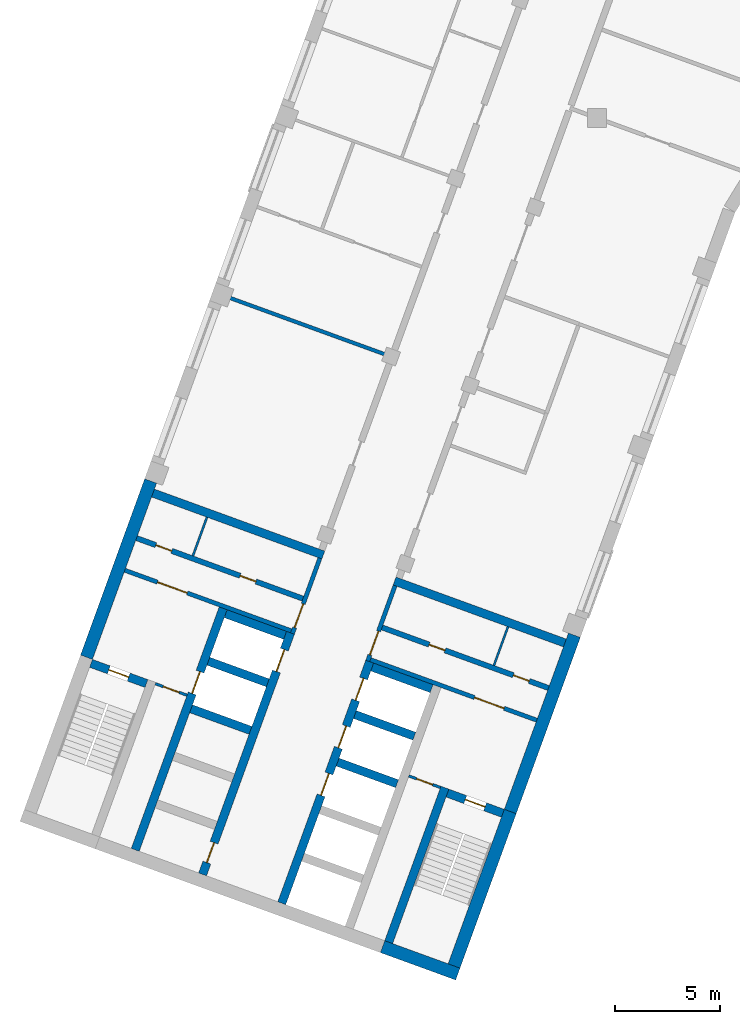
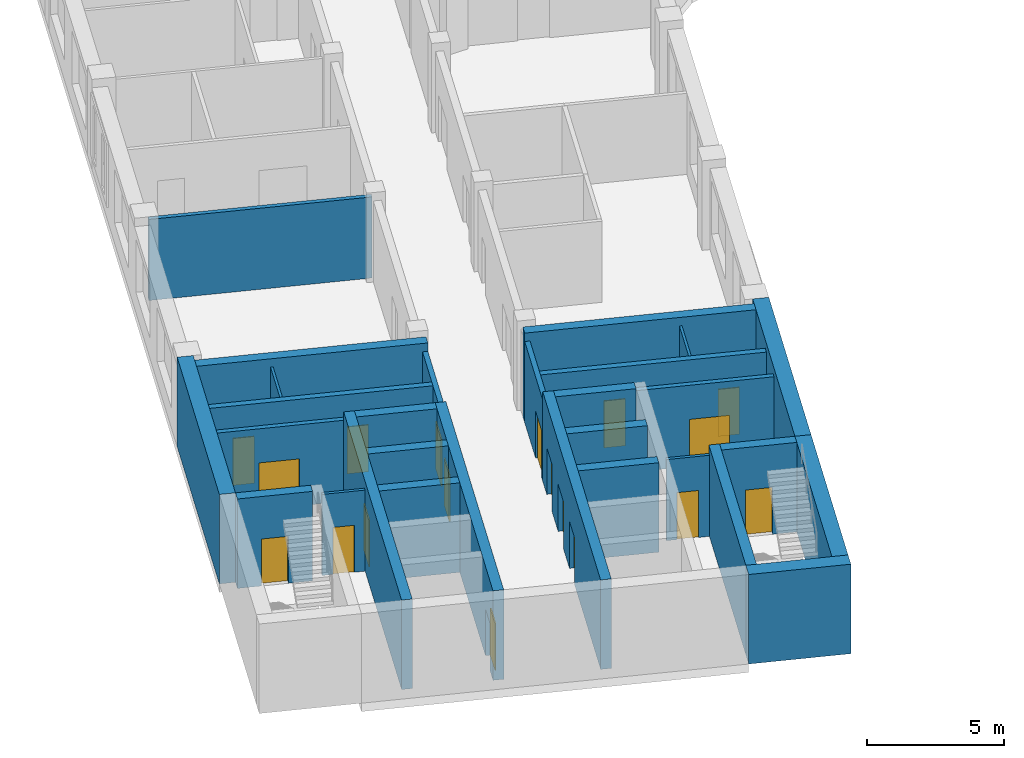
# One storey, part 2 of 12: 29 walls, 18 doors, 18 openings.
"""IFC4 building model written with IfcOpenShell, lengths in metres."""

from ifc_helpers import new_model, si_unit, direction, frame, frame_2d, origin, place, context, subcontext, project, spatial, rectangle, extrude, material, layer, layer_set, type_object, element, fill, save


model = new_model("IFC4")

# Units and contexts
model_context = context("Model", 3, precision=1e-05, world=origin(), true_north=direction((0.0, 1.0)))
body_context = subcontext(model_context, "Body", "Model", "MODEL_VIEW")
ifc_project = project(units=[si_unit("LENGTHUNIT", "METRE"), si_unit("AREAUNIT", "SQUARE_METRE"), si_unit("VOLUMEUNIT", "CUBIC_METRE"), si_unit("PLANEANGLEUNIT", "RADIAN"), si_unit("MASSUNIT", "GRAM", prefix="KILO")], contexts=[model_context])

# Site, building, storey
site_placement = place(None, origin())
site = spatial("IfcSite", under=ifc_project, at=site_placement, CompositionType="ELEMENT")
building_placement = place(site_placement, origin())
building = spatial("IfcBuilding", under=site, at=building_placement, Name="Skarvind Civic Tower", CompositionType="ELEMENT")
storey_placement = place(building_placement, frame((0.0, 0.0, 51.5)))
storey = spatial("IfcBuildingStorey", under=building, at=storey_placement, Name="L11", CompositionType="ELEMENT", Elevation=51.5)

# Wall
ifc_material_1 = material(Name="Acoustic gypsum board on steel studs", Category="steel")
ifc_layer_1 = layer(ifc_material_1, 0.175048828125)
ifc_layer_set_1 = layer_set([ifc_layer_1], Name="ACOUSTIC MEETING-ROOM PARTITION 175")
wall_type_1 = type_object("IfcWallType", Name="ACOUSTIC MEETING-ROOM PARTITION 175", PredefinedType="PARTITIONING", material=ifc_layer_set_1)
wall_1_placement = place(storey_placement, frame((28.27490234375, 109.708984375, 0.0), z_axis=(0.0, 0.0, 1.0), x_axis=(0.939697205528, -0.342007546586, 0.0)))
element("IfcWall", 1, at=wall_1_placement, inside=storey, type_object=wall_type_1, Name="Partition 11.001", PredefinedType="PARTITIONING", context=body_context, shape_type="SweptSolid", body=[
    extrude(rectangle(XDim=8.300537109375, YDim=0.175048828125, at=frame_2d((4.150390625, 0.0))), origin(), (0.0, 0.0, 1.0), 3.625),
])

# Wall, opening, door
ifc_material_2 = material(Name="Fire-rated masonry partition", Category="masonry")
ifc_layer_2 = layer(ifc_material_2, 0.199951171875)
ifc_layer_set_2 = layer_set([ifc_layer_2], Name="Core enclosure wall 200")
wall_type_2 = type_object("IfcWallType", Name="Core enclosure wall 200", PredefinedType="PARTITIONING", material=ifc_layer_set_2)
wall_2_placement = place(storey_placement, frame((31.491455078125, 93.693359375, 0.0), z_axis=(0.0, 0.0, 1.0), x_axis=(0.341995824804, 0.939701471648, 0.0)))
wall_2 = element("IfcWall", 2, at=wall_2_placement, inside=storey, type_object=wall_type_2, Name="Core wall C2", PredefinedType="PARTITIONING", context=body_context, shape_type="SweptSolid", body=[
    extrude(rectangle(XDim=3.800048828125, YDim=0.199951171875, at=frame_2d((1.89990234375, 0.0))), origin(), (0.0, 0.0, 1.0), 3.625),
])
opening_1_placement = place(wall_2_placement, frame((0.300048828125, 0.0, 0.0)))
opening_1 = element("IfcOpeningElement", 3, at=opening_1_placement, cuts=wall_2, Name="Opening D-L11-C2-06", PredefinedType="OPENING", context=body_context, shape_type="SweptSolid", body=[
    extrude(rectangle(XDim=1.199951171875, YDim=2.10009765625, at=frame_2d((0.60009765625, 1.050048828125))), frame((0.0, 0.10986328125, 0.0), z_axis=(0.0, -1.0, 0.0), x_axis=(1.0, 0.0, 0.0)), (0.0, 0.0, 1.0), 0.219970703125),
])
ifc_material_3 = material(Name="Fire-rated steel door", Category="steel")
door_type_1 = type_object("IfcDoorType", Name="Core lobby door 1200", OperationType="NOTDEFINED", PredefinedType="DOOR", material=ifc_material_3)
door_1_placement = place(opening_1_placement, origin())
door_1 = element("IfcDoor", 4, at=door_1_placement, inside=storey, type_object=door_type_1, Name="Fire door", OperationType="DOUBLE_DOOR_SINGLE_SWING", OverallHeight=2.10009765625, OverallWidth=1.199951171875, PredefinedType="DOOR", context=body_context, shape_type="SweptSolid", body=[
    extrude(rectangle(XDim=1.199951171875, YDim=2.10009765625, at=frame_2d((0.60009765625, 1.050048828125))), frame((0.0, 0.02490234375, 0.0), z_axis=(0.0, -1.0, 0.0), x_axis=(1.0, 0.0, 0.0)), (0.0, 0.0, 1.0), 0.050048828125),
])
fill(opening_1, door_1)

wall_3_placement = place(storey_placement, frame((23.5380859375, 96.6943359375, 0.0), z_axis=(0.0, 0.0, 1.0), x_axis=(0.939691552312, -0.342023078919, 0.0)))
wall_3 = element("IfcWall", 5, at=wall_3_placement, inside=storey, type_object=wall_type_2, Name="Core wall C2", PredefinedType="PARTITIONING", context=body_context, shape_type="SweptSolid", body=[
    extrude(rectangle(XDim=8.400146484375, YDim=0.199951171875, at=frame_2d((4.2001953125, 0.0))), origin(), (0.0, 0.0, 1.0), 3.625),
])
opening_2_placement = place(wall_3_placement, frame((1.64990234375, 0.0, 0.0)))
opening_2 = element("IfcOpeningElement", 6, at=opening_2_placement, cuts=wall_3, Name="Opening D-L11-C2-07", PredefinedType="OPENING", context=body_context, shape_type="SweptSolid", body=[
    extrude(rectangle(XDim=1.5, YDim=2.10009765625, at=frame_2d((0.75, 1.050048828125))), frame((0.0, 0.10986328125, 0.0), z_axis=(0.0, -1.0, 0.0), x_axis=(1.0, 0.0, 0.0)), (0.0, 0.0, 1.0), 0.219970703125),
])
door_type_2 = type_object("IfcDoorType", Name="Fire door 1500", OperationType="NOTDEFINED", PredefinedType="DOOR", material=ifc_material_3)
door_2_placement = place(opening_2_placement, origin())
door_2 = element("IfcDoor", 7, at=door_2_placement, inside=storey, type_object=door_type_2, Name="Fire door", OperationType="DOUBLE_DOOR_SINGLE_SWING", OverallHeight=2.10009765625, OverallWidth=1.5, PredefinedType="DOOR", context=body_context, shape_type="SweptSolid", body=[
    extrude(rectangle(XDim=1.5, YDim=2.10009765625, at=frame_2d((0.75, 1.050048828125))), frame((0.0, 0.02490234375, 0.0), z_axis=(0.0, -1.0, 0.0), x_axis=(1.0, 0.0, 0.0)), (0.0, 0.0, 1.0), 0.050048828125),
])
fill(opening_2, door_2)

wall_4_placement = place(storey_placement, frame((36.36181640625, 95.96435546875, 0.0), z_axis=(0.0, 0.0, 1.0), x_axis=(-0.341995824804, -0.939701471648, 0.0)))
wall_4 = element("IfcWall", 8, at=wall_4_placement, inside=storey, type_object=wall_type_2, Name="Core wall C2", PredefinedType="PARTITIONING", context=body_context, shape_type="SweptSolid", body=[
    extrude(rectangle(XDim=3.800048828125, YDim=0.199951171875, at=frame_2d((1.89990234375, 0.0))), origin(), (0.0, 0.0, 1.0), 3.625),
])
opening_3_placement = place(wall_4_placement, frame((2.300048828125, 0.0, 0.0)))
opening_3 = element("IfcOpeningElement", 9, at=opening_3_placement, cuts=wall_4, Name="Opening D-L11-C2-12", PredefinedType="OPENING", context=body_context, shape_type="SweptSolid", body=[
    extrude(rectangle(XDim=1.199951171875, YDim=2.10009765625, at=frame_2d((0.60009765625, 1.050048828125))), frame((0.0, 0.10986328125, 0.0), z_axis=(0.0, -1.0, 0.0), x_axis=(1.0, 0.0, 0.0)), (0.0, 0.0, 1.0), 0.219970703125),
])
door_3_placement = place(opening_3_placement, origin())
door_3 = element("IfcDoor", 10, at=door_3_placement, inside=storey, type_object=door_type_1, Name="Fire door", OperationType="DOUBLE_DOOR_SINGLE_SWING", OverallHeight=2.10009765625, OverallWidth=1.199951171875, PredefinedType="DOOR", context=body_context, shape_type="SweptSolid", body=[
    extrude(rectangle(XDim=1.199951171875, YDim=2.10009765625, at=frame_2d((0.60009765625, 1.050048828125))), frame((0.0, 0.02490234375, 0.0), z_axis=(0.0, -1.0, 0.0), x_axis=(1.0, 0.0, 0.0)), (0.0, 0.0, 1.0), 0.050048828125),
])
fill(opening_3, door_3)

wall_5_placement = place(storey_placement, frame((35.1904296875, 92.453369140625, 0.0), z_axis=(0.0, 0.0, 1.0), x_axis=(0.939691552312, -0.342023078919, 0.0)))
wall_5 = element("IfcWall", 11, at=wall_5_placement, inside=storey, type_object=wall_type_2, Name="Core wall C2", PredefinedType="PARTITIONING", context=body_context, shape_type="SweptSolid", body=[
    extrude(rectangle(XDim=8.400146484375, YDim=0.199951171875, at=frame_2d((4.2001953125, 0.0))), origin(), (0.0, 0.0, 1.0), 3.625),
])
opening_4_placement = place(wall_5_placement, frame((5.25, 0.0, 0.0)))
opening_4 = element("IfcOpeningElement", 12, at=opening_4_placement, cuts=wall_5, Name="Opening D-L11-C2-13", PredefinedType="OPENING", context=body_context, shape_type="SweptSolid", body=[
    extrude(rectangle(XDim=1.5, YDim=2.10009765625, at=frame_2d((0.75, 1.050048828125))), frame((0.0, 0.10986328125, 0.0), z_axis=(0.0, -1.0, 0.0), x_axis=(1.0, 0.0, 0.0)), (0.0, 0.0, 1.0), 0.219970703125),
])
door_4_placement = place(opening_4_placement, origin())
door_4 = element("IfcDoor", 13, at=door_4_placement, inside=storey, type_object=door_type_2, Name="Fire door", OperationType="DOUBLE_DOOR_SINGLE_SWING", OverallHeight=2.10009765625, OverallWidth=1.5, PredefinedType="DOOR", context=body_context, shape_type="SweptSolid", body=[
    extrude(rectangle(XDim=1.5, YDim=2.10009765625, at=frame_2d((0.75, 1.050048828125))), frame((0.0, 0.02490234375, 0.0), z_axis=(0.0, -1.0, 0.0), x_axis=(1.0, 0.0, 0.0)), (0.0, 0.0, 1.0), 0.050048828125),
])
fill(opening_4, door_4)

# Walls
ifc_material_4 = material(Name="Fire-rated plasterboard partition")
ifc_layer_3 = layer(ifc_material_4, 0.10009765625)
ifc_layer_set_3 = layer_set([ifc_layer_3], Name="Core partition wall 100")
wall_type_3 = type_object("IfcWallType", Name="Core partition wall 100", PredefinedType="PARTITIONING", material=ifc_layer_set_3)
wall_6_placement = place(storey_placement, frame((26.767822265625, 97.381103515625, 0.0), z_axis=(0.0, 0.0, 1.0), x_axis=(0.342024501273, 0.939691034611, 0.0)))
element("IfcWall", 14, at=wall_6_placement, inside=storey, type_object=wall_type_3, Name="Core wall C2", PredefinedType="PARTITIONING", context=body_context, shape_type="SweptSolid", body=[
    extrude(rectangle(XDim=1.9501953125, YDim=0.10009765625, at=frame_2d((0.97509765625, 0.0))), origin(), (0.0, 0.0, 1.0), 3.625),
])
wall_7_placement = place(storey_placement, frame((41.71826171875, 94.014892578125, 0.0), z_axis=(0.0, 0.0, 1.0), x_axis=(-0.342064742067, -0.939676386973, 0.0)))
element("IfcWall", 15, at=wall_7_placement, inside=storey, type_object=wall_type_3, Name="Core wall C2", PredefinedType="PARTITIONING", context=body_context, shape_type="SweptSolid", body=[
    extrude(rectangle(XDim=1.949951171875, YDim=0.10009765625, at=frame_2d((0.97509765625, 0.0))), origin(), (0.0, 0.0, 1.0), 3.625),
])
ifc_material_5 = material(Name="Concrete C80", Category="concrete")
ifc_layer_4 = layer(ifc_material_5, 0.39990234375)
ifc_layer_set_4 = layer_set([ifc_layer_4], Name="Core wall 400 C80")
wall_type_4 = type_object("IfcWallType", Name="Core wall 400 C80", PredefinedType="SHEAR", material=ifc_layer_set_4)
wall_8_placement = place(storey_placement, frame((36.057861328125, 79.04833984375, 0.0), z_axis=(0.0, 0.0, 1.0), x_axis=(0.342016982193, 0.939693771338, 0.0)))
element("IfcWall", 16, at=wall_8_placement, inside=storey, type_object=wall_type_4, Name="Core wall C2 south stair inner L11", PredefinedType="SHEAR", context=body_context, shape_type="SweptSolid", body=[
    extrude(rectangle(XDim=7.800048828125, YDim=0.39990234375, at=frame_2d((3.89990234375, 0.0))), origin(), (0.0, 0.0, 1.0), 4.0),
])

# Wall, opening, door
wall_9_placement = place(storey_placement, frame((41.476318359375, 85.163818359375, 0.0), z_axis=(0.0, 0.0, 1.0), x_axis=(-0.939678810556, 0.342058084236, 0.0)))
wall_9 = element("IfcWall", 17, at=wall_9_placement, inside=storey, type_object=wall_type_4, Name="Core wall C2 south stair end L11", PredefinedType="SHEAR", context=body_context, shape_type="SweptSolid", body=[
    extrude(rectangle(XDim=2.800048828125, YDim=0.39990234375, at=frame_2d((1.39990234375, 0.0))), origin(), (0.0, 0.0, 1.0), 4.0),
])
opening_5_placement = place(wall_9_placement, frame((0.89990234375, 0.0, 0.0)))
opening_5 = element("IfcOpeningElement", 18, at=opening_5_placement, cuts=wall_9, Name="Opening D-L11-C2-14", PredefinedType="OPENING", context=body_context, shape_type="SweptSolid", body=[
    extrude(rectangle(XDim=1.0, YDim=2.10009765625, at=frame_2d((0.5, 1.050048828125))), frame((0.0, 0.2099609375, 0.0), z_axis=(0.0, -1.0, 0.0), x_axis=(1.0, 0.0, 0.0)), (0.0, 0.0, 1.0), 0.419921875),
])
door_type_3 = type_object("IfcDoorType", Name="Fire door 1000", OperationType="NOTDEFINED", PredefinedType="DOOR", material=ifc_material_3)
door_5_placement = place(opening_5_placement, origin())
door_5 = element("IfcDoor", 19, at=door_5_placement, inside=storey, type_object=door_type_3, Name="Fire door", OperationType="SINGLE_SWING_RIGHT", OverallHeight=2.10009765625, OverallWidth=1.0, PredefinedType="DOOR", context=body_context, shape_type="SweptSolid", body=[
    extrude(rectangle(XDim=1.0, YDim=2.10009765625, at=frame_2d((0.5, 1.050048828125))), frame((0.0, 0.02490234375, 0.0), z_axis=(0.0, -1.0, 0.0), x_axis=(1.0, 0.0, 0.0)), (0.0, 0.0, 1.0), 0.050048828125),
])
fill(opening_5, door_5)

wall_10_placement = place(storey_placement, frame((24.56201171875, 91.3203125, 0.0), z_axis=(0.0, 0.0, 1.0), x_axis=(-0.939717030584, 0.341953070509, 0.0)))
wall_10 = element("IfcWall", 20, at=wall_10_placement, inside=storey, type_object=wall_type_4, Name="Core wall C2 north stair end L11", PredefinedType="SHEAR", context=body_context, shape_type="SweptSolid", body=[
    extrude(rectangle(XDim=2.800048828125, YDim=0.39990234375, at=frame_2d((1.39990234375, 0.0))), origin(), (0.0, 0.0, 1.0), 4.0),
])
opening_6_placement = place(wall_10_placement, frame((0.89990234375, 0.0, 0.0)))
opening_6 = element("IfcOpeningElement", 21, at=opening_6_placement, cuts=wall_10, Name="Opening D-L11-C2-08", PredefinedType="OPENING", context=body_context, shape_type="SweptSolid", body=[
    extrude(rectangle(XDim=1.0, YDim=2.10009765625, at=frame_2d((0.5, 1.050048828125))), frame((0.0, 0.2099609375, 0.0), z_axis=(0.0, -1.0, 0.0), x_axis=(1.0, 0.0, 0.0)), (0.0, 0.0, 1.0), 0.419921875),
])
door_6_placement = place(opening_6_placement, origin())
door_6 = element("IfcDoor", 22, at=door_6_placement, inside=storey, type_object=door_type_3, Name="Fire door", OperationType="SINGLE_SWING_LEFT", OverallHeight=2.10009765625, OverallWidth=1.0, PredefinedType="DOOR", context=body_context, shape_type="SweptSolid", body=[
    extrude(rectangle(XDim=1.0, YDim=2.10009765625, at=frame_2d((0.5, 1.050048828125))), frame((0.0, 0.02490234375, 0.0), z_axis=(0.0, -1.0, 0.0), x_axis=(1.0, 0.0, 0.0)), (0.0, 0.0, 1.0), 0.050048828125),
])
fill(opening_6, door_6)

# Wall, openings, doors
wall_11_placement = place(storey_placement, frame((30.983642578125, 80.895263671875, 0.0), z_axis=(0.0, 0.0, 1.0), x_axis=(0.342021021735, 0.939692301071, 0.0)))
wall_11 = element("IfcWall", 23, at=wall_11_placement, inside=storey, type_object=wall_type_4, Name="Core wall C2 south lift row front L11", PredefinedType="SHEAR", context=body_context, shape_type="SweptSolid", body=[
    extrude(rectangle(XDim=12.199951171875, YDim=0.39990234375, at=frame_2d((6.10009765625, 0.0))), origin(), (0.0, 0.0, 1.0), 4.0),
])
opening_7_placement = place(wall_11_placement, frame((5.449951171875, 0.0, 0.0)))
opening_7 = element("IfcOpeningElement", 24, at=opening_7_placement, cuts=wall_11, Name="Opening LD13208", PredefinedType="OPENING", context=body_context, shape_type="SweptSolid", body=[
    extrude(rectangle(XDim=1.10009765625, YDim=2.10009765625, at=frame_2d((0.550048828125, 1.050048828125))), frame((0.0, 0.2099609375, 0.0), z_axis=(0.0, -1.0, 0.0), x_axis=(1.0, 0.0, 0.0)), (0.0, 0.0, 1.0), 0.419921875),
])
opening_8_placement = place(wall_11_placement, frame((7.85009765625, 0.0, 0.0)))
opening_8 = element("IfcOpeningElement", 25, at=opening_8_placement, cuts=wall_11, Name="Opening LD13209", PredefinedType="OPENING", context=body_context, shape_type="SweptSolid", body=[
    extrude(rectangle(XDim=1.10009765625, YDim=2.10009765625, at=frame_2d((0.550048828125, 1.050048828125))), frame((0.0, 0.2099609375, 0.0), z_axis=(0.0, -1.0, 0.0), x_axis=(1.0, 0.0, 0.0)), (0.0, 0.0, 1.0), 0.419921875),
])
opening_9_placement = place(wall_11_placement, frame((10.25, 0.0, 0.0)))
opening_9 = element("IfcOpeningElement", 26, at=opening_9_placement, cuts=wall_11, Name="Opening LD13210", PredefinedType="OPENING", context=body_context, shape_type="SweptSolid", body=[
    extrude(rectangle(XDim=1.10009765625, YDim=2.10009765625, at=frame_2d((0.550048828125, 1.050048828125))), frame((0.0, 0.2099609375, 0.0), z_axis=(0.0, -1.0, 0.0), x_axis=(1.0, 0.0, 0.0)), (0.0, 0.0, 1.0), 0.419921875),
])
ifc_material_6 = material(Name="Stainless steel landing door", Category="steel")
door_type_4 = type_object("IfcDoorType", Name="Lift landing door 1100", OperationType="DOUBLE_DOOR_SLIDING", PredefinedType="DOOR", material=ifc_material_6)
door_7_placement = place(opening_7_placement, origin())
door_7 = element("IfcDoor", 27, at=door_7_placement, inside=storey, type_object=door_type_4, Name="Lift landing door", OperationType="DOUBLE_DOOR_SLIDING", OverallHeight=2.10009765625, OverallWidth=1.10009765625, PredefinedType="DOOR", context=body_context, shape_type="SweptSolid", body=[
    extrude(rectangle(XDim=1.10009765625, YDim=2.10009765625, at=frame_2d((0.550048828125, 1.050048828125))), frame((0.0, 0.02490234375, 0.0), z_axis=(0.0, -1.0, 0.0), x_axis=(1.0, 0.0, 0.0)), (0.0, 0.0, 1.0), 0.050048828125),
])
fill(opening_7, door_7)
door_8_placement = place(opening_8_placement, origin())
door_8 = element("IfcDoor", 28, at=door_8_placement, inside=storey, type_object=door_type_4, Name="Lift landing door", OperationType="DOUBLE_DOOR_SLIDING", OverallHeight=2.10009765625, OverallWidth=1.10009765625, PredefinedType="DOOR", context=body_context, shape_type="SweptSolid", body=[
    extrude(rectangle(XDim=1.10009765625, YDim=2.10009765625, at=frame_2d((0.550048828125, 1.050048828125))), frame((0.0, 0.02490234375, 0.0), z_axis=(0.0, -1.0, 0.0), x_axis=(1.0, 0.0, 0.0)), (0.0, 0.0, 1.0), 0.050048828125),
])
fill(opening_8, door_8)
door_9_placement = place(opening_9_placement, origin())
door_9 = element("IfcDoor", 29, at=door_9_placement, inside=storey, type_object=door_type_4, Name="Lift landing door", OperationType="DOUBLE_DOOR_SLIDING", OverallHeight=2.10009765625, OverallWidth=1.10009765625, PredefinedType="DOOR", context=body_context, shape_type="SweptSolid", body=[
    extrude(rectangle(XDim=1.10009765625, YDim=2.10009765625, at=frame_2d((0.550048828125, 1.050048828125))), frame((0.0, 0.02490234375, 0.0), z_axis=(0.0, -1.0, 0.0), x_axis=(1.0, 0.0, 0.0)), (0.0, 0.0, 1.0), 0.050048828125),
])
fill(opening_9, door_9)

# Walls
for number, where, z_axis, x_axis, name in (
    (30, (36.453125, 86.56640625, 0.0), (0.0, 0.0, 1.0), (-0.939686455819, 0.342037080957, 0.0), "Core wall C2 south lift row division 3 L11"),
    (31, (37.27392578125, 88.82177734375, 0.0), (0.0, 0.0, 1.0), (-0.939686455819, 0.342037080957, 0.0), "Core wall C2 south lift row division 4 L11"),
):
    element("IfcWall", number, at=place(storey_placement, frame(where, z_axis=z_axis, x_axis=x_axis)), inside=storey, type_object=wall_type_4, Name=name, PredefinedType="SHEAR", context=body_context, shape_type="SweptSolid", body=[
        extrude(rectangle(XDim=3.0, YDim=0.39990234375, at=frame_2d((1.5, 0.0))), origin(), (0.0, 0.0, 1.0), 4.0),
    ])
wall_12_placement = place(storey_placement, frame((38.0947265625, 91.076904296875, 0.0), z_axis=(0.0, 0.0, 1.0), x_axis=(-0.939676934218, 0.342063238742, 0.0)))
element("IfcWall", 32, at=wall_12_placement, inside=storey, type_object=wall_type_4, Name="Core wall C2 south lift row division 5 L11", PredefinedType="SHEAR", context=body_context, shape_type="SweptSolid", body=[
    extrude(rectangle(XDim=2.999755859375, YDim=0.39990234375, at=frame_2d((1.5, 0.0))), origin(), (0.0, 0.0, 1.0), 4.0),
])

# Wall, openings, doors
wall_13_placement = place(storey_placement, frame((27.224853515625, 82.26318359375, 0.0), z_axis=(0.0, 0.0, 1.0), x_axis=(0.342014590177, 0.939694641948, 0.0)))
wall_13 = element("IfcWall", 33, at=wall_13_placement, inside=storey, type_object=wall_type_4, Name="Core wall C2 north lift row front L11", PredefinedType="SHEAR", context=body_context, shape_type="SweptSolid", body=[
    extrude(rectangle(XDim=12.2001953125, YDim=0.39990234375, at=frame_2d((6.10009765625, 0.0))), origin(), (0.0, 0.0, 1.0), 4.0),
])
opening_10_placement = place(wall_13_placement, frame((10.25, 0.0, 0.0)))
opening_10 = element("IfcOpeningElement", 34, at=opening_10_placement, cuts=wall_13, Name="Opening LD13205", PredefinedType="OPENING", context=body_context, shape_type="SweptSolid", body=[
    extrude(rectangle(XDim=1.10009765625, YDim=2.10009765625, at=frame_2d((0.550048828125, 1.050048828125))), frame((0.0, 0.2099609375, 0.0), z_axis=(0.0, -1.0, 0.0), x_axis=(1.0, 0.0, 0.0)), (0.0, 0.0, 1.0), 0.419921875),
])
opening_11_placement = place(wall_13_placement, frame((0.60009765625, 0.0, 0.0)))
opening_11 = element("IfcOpeningElement", 35, at=opening_11_placement, cuts=wall_13, Name="Opening D-L11-C2-05", PredefinedType="OPENING", context=body_context, shape_type="SweptSolid", body=[
    extrude(rectangle(XDim=1.0, YDim=2.10009765625, at=frame_2d((0.5, 1.050048828125))), frame((0.0, 0.2099609375, 0.0), z_axis=(0.0, -1.0, 0.0), x_axis=(1.0, 0.0, 0.0)), (0.0, 0.0, 1.0), 0.419921875),
])
door_10_placement = place(opening_11_placement, origin())
door_10 = element("IfcDoor", 36, at=door_10_placement, inside=storey, type_object=door_type_3, Name="Fire door", OperationType="SINGLE_SWING_LEFT", OverallHeight=2.10009765625, OverallWidth=1.0, PredefinedType="DOOR", context=body_context, shape_type="SweptSolid", body=[
    extrude(rectangle(XDim=1.0, YDim=2.10009765625, at=frame_2d((0.5, 1.050048828125))), frame((0.0, 0.02490234375, 0.0), z_axis=(0.0, -1.0, 0.0), x_axis=(1.0, 0.0, 0.0)), (0.0, 0.0, 1.0), 0.050048828125),
])
fill(opening_11, door_10)
door_11_placement = place(opening_10_placement, origin())
door_11 = element("IfcDoor", 37, at=door_11_placement, inside=storey, type_object=door_type_4, Name="Lift landing door", OperationType="DOUBLE_DOOR_SLIDING", OverallHeight=2.10009765625, OverallWidth=1.10009765625, PredefinedType="DOOR", context=body_context, shape_type="SweptSolid", body=[
    extrude(rectangle(XDim=1.10009765625, YDim=2.10009765625, at=frame_2d((0.550048828125, 1.050048828125))), frame((0.0, 0.02490234375, 0.0), z_axis=(0.0, -1.0, 0.0), x_axis=(1.0, 0.0, 0.0)), (0.0, 0.0, 1.0), 0.050048828125),
])
fill(opening_10, door_11)

# Wall, opening, door
wall_14_placement = place(storey_placement, frame((24.02978515625, 83.426025390625, 0.0), z_axis=(0.0, 0.0, 1.0), x_axis=(0.342014590177, 0.939694641948, 0.0)))
wall_14 = element("IfcWall", 38, at=wall_14_placement, inside=storey, type_object=wall_type_4, Name="Core wall C2 north lift row back L11", PredefinedType="SHEAR", context=body_context, shape_type="SweptSolid", body=[
    extrude(rectangle(XDim=12.2001953125, YDim=0.39990234375, at=frame_2d((6.10009765625, 0.0))), origin(), (0.0, 0.0, 1.0), 4.0),
])
opening_12_placement = place(wall_14_placement, frame((7.89990234375, 0.0, 0.0)))
opening_12 = element("IfcOpeningElement", 39, at=opening_12_placement, cuts=wall_14, Name="Opening LD13204", PredefinedType="OPENING", context=body_context, shape_type="SweptSolid", body=[
    extrude(rectangle(XDim=1.10009765625, YDim=2.10009765625, at=frame_2d((0.550048828125, 1.050048828125))), frame((0.0, 0.2099609375, 0.0), z_axis=(0.0, -1.0, 0.0), x_axis=(1.0, 0.0, 0.0)), (0.0, 0.0, 1.0), 0.419921875),
])
door_12_placement = place(opening_12_placement, origin())
door_12 = element("IfcDoor", 40, at=door_12_placement, inside=storey, type_object=door_type_4, Name="Lift landing door", OperationType="DOUBLE_DOOR_SLIDING", OverallHeight=2.10009765625, OverallWidth=1.10009765625, PredefinedType="DOOR", context=body_context, shape_type="SweptSolid", body=[
    extrude(rectangle(XDim=1.10009765625, YDim=2.10009765625, at=frame_2d((0.550048828125, 1.050048828125))), frame((0.0, 0.02490234375, 0.0), z_axis=(0.0, -1.0, 0.0), x_axis=(1.0, 0.0, 0.0)), (0.0, 0.0, 1.0), 0.050048828125),
])
fill(opening_12, door_12)

# Walls
for number, where, z_axis, x_axis, name in (
    (41, (29.49951171875, 89.097412109375, 0.0), (0.0, 0.0, 1.0), (-0.939686455819, 0.342037080957, 0.0), "Core wall C2 north lift row division 3 L11"),
    (42, (30.3203125, 91.352783203125, 0.0), (0.0, 0.0, 1.0), (-0.939712609717, 0.341965219194, 0.0), "Core wall C2 north lift row division 4 L11"),
    (43, (31.14111328125, 93.60791015625, 0.0), (0.0, 0.0, 1.0), (-0.939686455819, 0.342037080957, 0.0), "Core wall C2 north lift row division 5 L11"),
):
    element("IfcWall", number, at=place(storey_placement, frame(where, z_axis=z_axis, x_axis=x_axis)), inside=storey, type_object=wall_type_4, Name=name, PredefinedType="SHEAR", context=body_context, shape_type="SweptSolid", body=[
        extrude(rectangle(XDim=3.0, YDim=0.39990234375, at=frame_2d((1.5, 0.0))), origin(), (0.0, 0.0, 1.0), 4.0),
    ])
for number, where, z_axis, x_axis, name in (
    (44, (44.417724609375, 93.2451171875, 0.0), (0.0, 0.0, 1.0), (-0.93969060187, 0.342025690201, 0.0), "Core wall C2 south inner face L11"),
    (45, (32.953369140625, 97.417724609375, 0.0), (0.0, 0.0, 1.0), (-0.93969060187, 0.342025690201, 0.0), "Core wall C2 north inner face L11"),
):
    element("IfcWall", number, at=place(storey_placement, frame(where, z_axis=z_axis, x_axis=x_axis)), inside=storey, type_object=wall_type_4, Name=name, PredefinedType="SHEAR", context=body_context, shape_type="SweptSolid", body=[
        extrude(rectangle(XDim=8.599853515625, YDim=0.39990234375, at=frame_2d((4.2998046875, 0.0))), origin(), (0.0, 0.0, 1.0), 4.0),
    ])
ifc_layer_5 = layer(ifc_material_5, 0.60009765625)
ifc_layer_set_5 = layer_set([ifc_layer_5], Name="Core wall 600 C80")
wall_type_5 = type_object("IfcWallType", Name="Core wall 600 C80", PredefinedType="SHEAR", material=ifc_layer_set_5)
wall_15_placement = place(storey_placement, frame((39.338134765625, 77.53515625, 0.0), z_axis=(0.0, 0.0, 1.0), x_axis=(-0.939701471648, 0.341995824804, 0.0)))
element("IfcWall", 46, at=wall_15_placement, inside=storey, type_object=wall_type_5, Name="Core wall C2 tip at the south stair L11", PredefinedType="SHEAR", context=body_context, shape_type="SweptSolid", body=[
    extrude(rectangle(XDim=3.800048828125, YDim=0.60009765625, at=frame_2d((1.89990234375, 0.0))), origin(), (0.0, 0.0, 1.0), 4.0),
])
wall_16_placement = place(storey_placement, frame((39.158935546875, 77.919677734375, 0.0), z_axis=(0.0, 0.0, 1.0), x_axis=(0.342016982193, 0.939693771338, 0.0)))
element("IfcWall", 47, at=wall_16_placement, inside=storey, type_object=wall_type_5, Name="Core wall C2 south side at the stair L11", PredefinedType="SHEAR", context=body_context, shape_type="SweptSolid", body=[
    extrude(rectangle(XDim=7.800048828125, YDim=0.60009765625, at=frame_2d((3.89990234375, 0.0))), origin(), (0.0, 0.0, 1.0), 4.0),
])
for number, where, z_axis, x_axis, name in (
    (48, (41.82666015625, 85.249267578125, 0.0), (0.0, 0.0, 1.0), (0.342016162452, 0.939694069696, 0.0), "Core wall C2 south side L11"),
    (49, (21.71728515625, 92.568359375, 0.0), (0.0, 0.0, 1.0), (0.342016162452, 0.939694069696, 0.0), "Core wall C2 north side L11"),
):
    element("IfcWall", number, at=place(storey_placement, frame(where, z_axis=z_axis, x_axis=x_axis)), inside=storey, type_object=wall_type_5, Name=name, PredefinedType="SHEAR", context=body_context, shape_type="SweptSolid", body=[
        extrude(rectangle(XDim=8.89990234375, YDim=0.60009765625, at=frame_2d((4.449951171875, 0.0))), origin(), (0.0, 0.0, 1.0), 4.0),
    ])

# Wall, opening, door
ifc_layer_6 = layer(ifc_material_2, 0.125)
ifc_layer_set_6 = layer_set([ifc_layer_6], Name="Riser wall 125")
wall_type_6 = type_object("IfcWallType", Name="Riser wall 125", PredefinedType="PARTITIONING", material=ifc_layer_set_6)
wall_17_placement = place(storey_placement, frame((24.98486328125, 91.3125, 0.0), z_axis=(0.0, 0.0, 1.0), x_axis=(0.939708740826, -0.341975850632, 0.0)))
wall_17 = element("IfcWall", 50, at=wall_17_placement, inside=storey, type_object=wall_type_6, Name="Core wall C2", PredefinedType="PARTITIONING", context=body_context, shape_type="SweptSolid", body=[
    extrude(rectangle(XDim=1.599853515625, YDim=0.125, at=frame_2d((0.7998046875, 0.0))), origin(), (0.0, 0.0, 1.0), 3.625),
])
opening_13_placement = place(wall_17_placement, frame((0.39990234375, 0.0, 0.0)))
opening_13 = element("IfcOpeningElement", 51, at=opening_13_placement, cuts=wall_17, Name="Opening D-L11-C2-09", PredefinedType="OPENING", context=body_context, shape_type="SweptSolid", body=[
    extrude(rectangle(XDim=0.800048828125, YDim=2.10009765625, at=frame_2d((0.39990234375, 1.050048828125))), frame((0.0, 0.072509765625, 0.0), z_axis=(0.0, -1.0, 0.0), x_axis=(1.0, 0.0, 0.0)), (0.0, 0.0, 1.0), 0.14501953125),
])
door_type_5 = type_object("IfcDoorType", Name="Core riser door 800", OperationType="NOTDEFINED", PredefinedType="DOOR", material=ifc_material_3)
door_13_placement = place(opening_13_placement, origin())
door_13 = element("IfcDoor", 52, at=door_13_placement, inside=storey, type_object=door_type_5, Name="Riser door", OperationType="SINGLE_SWING_RIGHT", OverallHeight=2.10009765625, OverallWidth=0.800048828125, PredefinedType="DOOR", context=body_context, shape_type="SweptSolid", body=[
    extrude(rectangle(XDim=0.800048828125, YDim=2.10009765625, at=frame_2d((0.39990234375, 1.050048828125))), frame((0.0, 0.02490234375, 0.0), z_axis=(0.0, -1.0, 0.0), x_axis=(1.0, 0.0, 0.0)), (0.0, 0.0, 1.0), 0.050048828125),
])
fill(opening_13, door_13)

wall_18_placement = place(storey_placement, frame((37.012939453125, 86.934814453125, 0.0), z_axis=(0.0, 0.0, 1.0), x_axis=(0.939659694648, -0.342110593602, 0.0)))
wall_18 = element("IfcWall", 53, at=wall_18_placement, inside=storey, type_object=wall_type_6, Name="Core wall C2", PredefinedType="PARTITIONING", context=body_context, shape_type="SweptSolid", body=[
    extrude(rectangle(XDim=1.599853515625, YDim=0.125, at=frame_2d((0.7998046875, 0.0))), origin(), (0.0, 0.0, 1.0), 3.625),
])
opening_14_placement = place(wall_18_placement, frame((0.39990234375, 0.0, 0.0)))
opening_14 = element("IfcOpeningElement", 54, at=opening_14_placement, cuts=wall_18, Name="Opening D-L11-C2-15", PredefinedType="OPENING", context=body_context, shape_type="SweptSolid", body=[
    extrude(rectangle(XDim=0.800048828125, YDim=2.10009765625, at=frame_2d((0.39990234375, 1.050048828125))), frame((0.0, 0.072509765625, 0.0), z_axis=(0.0, -1.0, 0.0), x_axis=(1.0, 0.0, 0.0)), (0.0, 0.0, 1.0), 0.14501953125),
])
door_14_placement = place(opening_14_placement, origin())
door_14 = element("IfcDoor", 55, at=door_14_placement, inside=storey, type_object=door_type_5, Name="Riser door", OperationType="SINGLE_SWING_LEFT", OverallHeight=2.10009765625, OverallWidth=0.800048828125, PredefinedType="DOOR", context=body_context, shape_type="SweptSolid", body=[
    extrude(rectangle(XDim=0.800048828125, YDim=2.10009765625, at=frame_2d((0.39990234375, 1.050048828125))), frame((0.0, 0.02490234375, 0.0), z_axis=(0.0, -1.0, 0.0), x_axis=(1.0, 0.0, 0.0)), (0.0, 0.0, 1.0), 0.050048828125),
])
fill(opening_14, door_14)

# Wall, openings, doors
ifc_layer_7 = layer(ifc_material_2, 0.25)
ifc_layer_set_7 = layer_set([ifc_layer_7], Name="Service block wall 250")
wall_type_7 = type_object("IfcWallType", Name="Service block wall 250", PredefinedType="PARTITIONING", material=ifc_layer_set_7)
wall_19_placement = place(storey_placement, frame((24.093994140625, 98.221435546875, 0.0), z_axis=(0.0, 0.0, 1.0), x_axis=(0.939691552312, -0.342023078919, 0.0)))
wall_19 = element("IfcWall", 56, at=wall_19_placement, inside=storey, type_object=wall_type_7, Name="Core wall C2", PredefinedType="PARTITIONING", context=body_context, shape_type="SweptSolid", body=[
    extrude(rectangle(XDim=8.400146484375, YDim=0.25, at=frame_2d((4.2001953125, 0.0))), origin(), (0.0, 0.0, 1.0), 3.625),
])
opening_15_placement = place(wall_19_placement, frame((5.22509765625, 0.0, 0.0)))
opening_15 = element("IfcOpeningElement", 57, at=opening_15_placement, cuts=wall_19, Name="Opening D-L11-C2-10", PredefinedType="OPENING", context=body_context, shape_type="SweptSolid", body=[
    extrude(rectangle(XDim=0.800048828125, YDim=2.10009765625, at=frame_2d((0.39990234375, 1.050048828125))), frame((0.0, 0.135009765625, 0.0), z_axis=(0.0, -1.0, 0.0), x_axis=(1.0, 0.0, 0.0)), (0.0, 0.0, 1.0), 0.27001953125),
])
opening_16_placement = place(wall_19_placement, frame((0.97509765625, 0.0, 0.0)))
opening_16 = element("IfcOpeningElement", 58, at=opening_16_placement, cuts=wall_19, Name="Opening D-L11-C2-11", PredefinedType="OPENING", context=body_context, shape_type="SweptSolid", body=[
    extrude(rectangle(XDim=0.800048828125, YDim=2.10009765625, at=frame_2d((0.39990234375, 1.050048828125))), frame((0.0, 0.135009765625, 0.0), z_axis=(0.0, -1.0, 0.0), x_axis=(1.0, 0.0, 0.0)), (0.0, 0.0, 1.0), 0.27001953125),
])
door_15_placement = place(opening_15_placement, origin())
door_15 = element("IfcDoor", 59, at=door_15_placement, inside=storey, type_object=door_type_5, Name="Riser door", OperationType="SINGLE_SWING_LEFT", OverallHeight=2.10009765625, OverallWidth=0.800048828125, PredefinedType="DOOR", context=body_context, shape_type="SweptSolid", body=[
    extrude(rectangle(XDim=0.800048828125, YDim=2.10009765625, at=frame_2d((0.39990234375, 1.050048828125))), frame((0.0, 0.02490234375, 0.0), z_axis=(0.0, -1.0, 0.0), x_axis=(1.0, 0.0, 0.0)), (0.0, 0.0, 1.0), 0.050048828125),
])
fill(opening_15, door_15)
door_16_placement = place(opening_16_placement, origin())
door_16 = element("IfcDoor", 60, at=door_16_placement, inside=storey, type_object=door_type_5, Name="Riser door", OperationType="SINGLE_SWING_RIGHT", OverallHeight=2.10009765625, OverallWidth=0.800048828125, PredefinedType="DOOR", context=body_context, shape_type="SweptSolid", body=[
    extrude(rectangle(XDim=0.800048828125, YDim=2.10009765625, at=frame_2d((0.39990234375, 1.050048828125))), frame((0.0, 0.02490234375, 0.0), z_axis=(0.0, -1.0, 0.0), x_axis=(1.0, 0.0, 0.0)), (0.0, 0.0, 1.0), 0.050048828125),
])
fill(opening_16, door_16)

wall_20_placement = place(storey_placement, frame((35.74609375, 93.98046875, 0.0), z_axis=(0.0, 0.0, 1.0), x_axis=(0.939691552312, -0.342023078919, 0.0)))
wall_20 = element("IfcWall", 61, at=wall_20_placement, inside=storey, type_object=wall_type_7, Name="Core wall C2", PredefinedType="PARTITIONING", context=body_context, shape_type="SweptSolid", body=[
    extrude(rectangle(XDim=8.400146484375, YDim=0.25, at=frame_2d((4.2001953125, 0.0))), origin(), (0.0, 0.0, 1.0), 3.625),
])
opening_17_placement = place(wall_20_placement, frame((2.375, 0.0, 0.0)))
opening_17 = element("IfcOpeningElement", 62, at=opening_17_placement, cuts=wall_20, Name="Opening D-L11-C2-16", PredefinedType="OPENING", context=body_context, shape_type="SweptSolid", body=[
    extrude(rectangle(XDim=0.800048828125, YDim=2.10009765625, at=frame_2d((0.39990234375, 1.050048828125))), frame((0.0, 0.135009765625, 0.0), z_axis=(0.0, -1.0, 0.0), x_axis=(1.0, 0.0, 0.0)), (0.0, 0.0, 1.0), 0.27001953125),
])
opening_18_placement = place(wall_20_placement, frame((6.625, 0.0, 0.0)))
opening_18 = element("IfcOpeningElement", 63, at=opening_18_placement, cuts=wall_20, Name="Opening D-L11-C2-17", PredefinedType="OPENING", context=body_context, shape_type="SweptSolid", body=[
    extrude(rectangle(XDim=0.800048828125, YDim=2.10009765625, at=frame_2d((0.39990234375, 1.050048828125))), frame((0.0, 0.135009765625, 0.0), z_axis=(0.0, -1.0, 0.0), x_axis=(1.0, 0.0, 0.0)), (0.0, 0.0, 1.0), 0.27001953125),
])
door_17_placement = place(opening_17_placement, origin())
door_17 = element("IfcDoor", 64, at=door_17_placement, inside=storey, type_object=door_type_5, Name="Riser door", OperationType="SINGLE_SWING_RIGHT", OverallHeight=2.10009765625, OverallWidth=0.800048828125, PredefinedType="DOOR", context=body_context, shape_type="SweptSolid", body=[
    extrude(rectangle(XDim=0.800048828125, YDim=2.10009765625, at=frame_2d((0.39990234375, 1.050048828125))), frame((0.0, 0.02490234375, 0.0), z_axis=(0.0, -1.0, 0.0), x_axis=(1.0, 0.0, 0.0)), (0.0, 0.0, 1.0), 0.050048828125),
])
fill(opening_17, door_17)
door_18_placement = place(opening_18_placement, origin())
door_18 = element("IfcDoor", 65, at=door_18_placement, inside=storey, type_object=door_type_5, Name="Riser door", OperationType="SINGLE_SWING_LEFT", OverallHeight=2.10009765625, OverallWidth=0.800048828125, PredefinedType="DOOR", context=body_context, shape_type="SweptSolid", body=[
    extrude(rectangle(XDim=0.800048828125, YDim=2.10009765625, at=frame_2d((0.39990234375, 1.050048828125))), frame((0.0, 0.02490234375, 0.0), z_axis=(0.0, -1.0, 0.0), x_axis=(1.0, 0.0, 0.0)), (0.0, 0.0, 1.0), 0.050048828125),
])
fill(opening_18, door_18)

save(model, "model.ifc")
